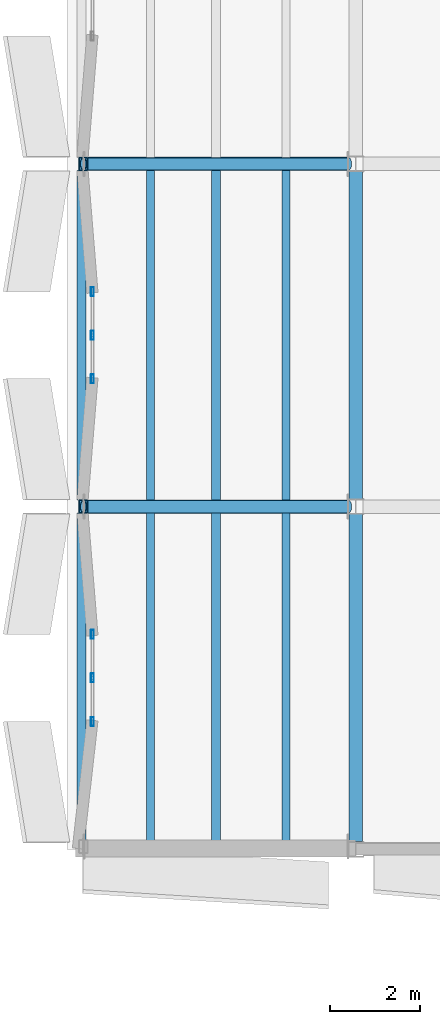
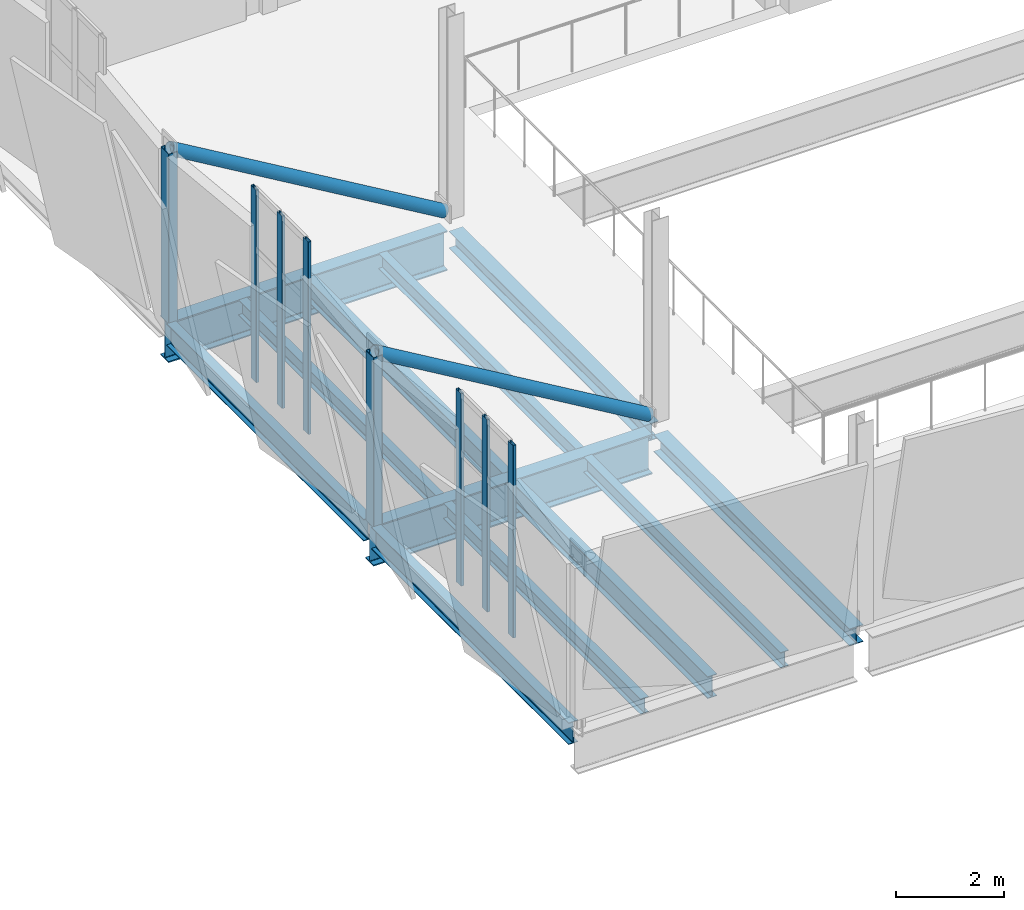
# One storey, part 23 of 136: 12 beams, 10 members, 2 elements without a shape of their own.
"""IFC4 building model written with IfcOpenShell, lengths in metres."""

from ifc_helpers import new_model, si_unit, direction, frame, origin, origin_2d, place, context, subcontext, project, spatial, hollow_rectangle, hollow_circle, i_section, extrude, material, material_profile, profile_set, type_object, element, aggregate, save


model = new_model("IFC4")

# Units and contexts
model_context = context("Model", 3, precision=1e-05, world=origin(), true_north=direction((0.0, 1.0)))
body_context = subcontext(model_context, "Body", "Model", "MODEL_VIEW")
ifc_project = project(units=[si_unit("LENGTHUNIT", "METRE"), si_unit("AREAUNIT", "SQUARE_METRE"), si_unit("VOLUMEUNIT", "CUBIC_METRE"), si_unit("PLANEANGLEUNIT", "RADIAN"), si_unit("MASSUNIT", "GRAM", prefix="KILO")], contexts=[model_context])

# Site, building, storey
site_placement = place(None, origin())
site = spatial("IfcSite", under=ifc_project, at=site_placement, CompositionType="ELEMENT")
building_placement = place(site_placement, origin())
building = spatial("IfcBuilding", under=site, at=building_placement, Name="Shengluoqiao Park Theatre", CompositionType="ELEMENT")
storey_placement = place(building_placement, frame((0.0, 0.0, 10.0)))
storey = spatial("IfcBuildingStorey", under=building, at=storey_placement, Name="L02", CompositionType="ELEMENT", Elevation=10.0)

# Curtain wall, members
ifc_material_1 = material(Name="Aluminium 6063-T6", Category="aluminium")
curtain_wall_type = type_object("IfcCurtainWallType", Name="ENV-CW-STUDIO", PredefinedType="NOTDEFINED", material=ifc_material_1)
curtain_wall_1_placement = place(storey_placement, origin())
curtain_wall_1 = element("IfcCurtainWall", 1, at=curtain_wall_1_placement, inside=storey, type_object=curtain_wall_type, Name="L02 Curtain Wall CW-L02-SLIT-0238", PredefinedType="NOTDEFINED")
ifc_material_profile_1 = material_profile(ifc_material_1, hollow_rectangle(XDim=0.06494140625, YDim=0.199951171875, WallThickness=0.0048828125, InnerFilletRadius=0.0048828125, OuterFilletRadius=0.010009765625, at=origin_2d()), Name="ALU MULLION 200x65x5")
ifc_profile_set_1 = profile_set([ifc_material_profile_1], Name="Aluminium 6063-T6")
member_type_1 = type_object("IfcMemberType", Name="ENV-MUL-200", PredefinedType="MULLION", material=ifc_profile_set_1)
member_1_placement = place(storey_placement, frame((0.56005859375, 33.232421875, 0.0), z_axis=(0.0, 0.0, 1.0), x_axis=(-1.0, 0.0, 0.0)))
member_1 = element("IfcMember", 2, at=member_1_placement, type_object=member_type_1, Name="CW-02 mullion 1", PredefinedType="MULLION", context=body_context, shape_type="SweptSolid", body=[
    extrude(hollow_rectangle(XDim=0.06494140625, YDim=0.199951171875, WallThickness=0.0048828125, InnerFilletRadius=0.0048828125, OuterFilletRadius=0.010009765625, at=origin_2d()), origin(), (0.0, 0.0, 1.0), 4.360107421875),
])
member_2_placement = place(storey_placement, frame((0.56005859375, 34.199951171875, 0.0), z_axis=(0.0, 0.0, 1.0), x_axis=(-1.0, 0.0, 0.0)))
member_2 = element("IfcMember", 3, at=member_2_placement, type_object=member_type_1, Name="CW-02 mullion 2", PredefinedType="MULLION", context=body_context, shape_type="SweptSolid", body=[
    extrude(hollow_rectangle(XDim=0.06494140625, YDim=0.199951171875, WallThickness=0.0048828125, InnerFilletRadius=0.0048828125, OuterFilletRadius=0.010009765625, at=origin_2d()), origin(), (0.0, 0.0, 1.0), 4.360107421875),
])
member_3_placement = place(storey_placement, frame((0.56005859375, 35.16748046875, 0.0), z_axis=(0.0, 0.0, 1.0), x_axis=(-1.0, 0.0, 0.0)))
member_3 = element("IfcMember", 4, at=member_3_placement, type_object=member_type_1, Name="CW-02 mullion 3", PredefinedType="MULLION", context=body_context, shape_type="SweptSolid", body=[
    extrude(hollow_rectangle(XDim=0.06494140625, YDim=0.199951171875, WallThickness=0.0048828125, InnerFilletRadius=0.0048828125, OuterFilletRadius=0.010009765625, at=origin_2d()), origin(), (0.0, 0.0, 1.0), 4.360107421875),
])
aggregate(curtain_wall_1, [member_1, member_2, member_3])

curtain_wall_2_placement = place(storey_placement, origin())
curtain_wall_2 = element("IfcCurtainWall", 5, at=curtain_wall_2_placement, inside=storey, type_object=curtain_wall_type, Name="L02 Curtain Wall CW-L02-SLIT-0239", PredefinedType="NOTDEFINED")
member_4_placement = place(storey_placement, frame((0.56005859375, 40.83251953125, 0.0), z_axis=(0.0, 0.0, 1.0), x_axis=(-1.0, 0.0, 0.0)))
member_4 = element("IfcMember", 6, at=member_4_placement, type_object=member_type_1, Name="CW-02 mullion 1", PredefinedType="MULLION", context=body_context, shape_type="SweptSolid", body=[
    extrude(hollow_rectangle(XDim=0.06494140625, YDim=0.199951171875, WallThickness=0.0048828125, InnerFilletRadius=0.0048828125, OuterFilletRadius=0.010009765625, at=origin_2d()), origin(), (0.0, 0.0, 1.0), 4.360107421875),
])
member_5_placement = place(storey_placement, frame((0.56005859375, 41.800048828125, 0.0), z_axis=(0.0, 0.0, 1.0), x_axis=(-1.0, 0.0, 0.0)))
member_5 = element("IfcMember", 7, at=member_5_placement, type_object=member_type_1, Name="CW-02 mullion 2", PredefinedType="MULLION", context=body_context, shape_type="SweptSolid", body=[
    extrude(hollow_rectangle(XDim=0.06494140625, YDim=0.199951171875, WallThickness=0.0048828125, InnerFilletRadius=0.0048828125, OuterFilletRadius=0.010009765625, at=origin_2d()), origin(), (0.0, 0.0, 1.0), 4.360107421875),
])
member_6_placement = place(storey_placement, frame((0.56005859375, 42.767578125, 0.0), z_axis=(0.0, 0.0, 1.0), x_axis=(-1.0, 0.0, 0.0)))
member_6 = element("IfcMember", 8, at=member_6_placement, type_object=member_type_1, Name="CW-02 mullion 3", PredefinedType="MULLION", context=body_context, shape_type="SweptSolid", body=[
    extrude(hollow_rectangle(XDim=0.06494140625, YDim=0.199951171875, WallThickness=0.0048828125, InnerFilletRadius=0.0048828125, OuterFilletRadius=0.010009765625, at=origin_2d()), origin(), (0.0, 0.0, 1.0), 4.360107421875),
])
aggregate(curtain_wall_2, [member_4, member_5, member_6])

# Beams
ifc_material_2 = material(Name="Steel Q355", Category="steel")
ifc_material_profile_2 = material_profile(ifc_material_2, i_section(OverallWidth=0.300048828125, OverallDepth=0.389892578125, WebThickness=0.010009765625, FlangeThickness=0.01611328125, FilletRadius=0.01806640625, at=origin_2d()), Name="HM 390x300x10x16")
ifc_profile_set_2 = profile_set([ifc_material_profile_2], Name="Steel Q355")
beam_type_1 = type_object("IfcBeamType", Name="STR-BM-G-HM390", PredefinedType="BEAM", material=ifc_profile_set_2)
for number, where, z_axis, x_axis, name in (
    (9, (6.39990234375, 30.569091796875, -0.43505859375), (0.0, 1.0, 0.0), (-1.0, 0.0, 0.0), "L02 Transverse Girder 00873"),
    (10, (6.39990234375, 38.1689453125, -0.43505859375), (0.0, 1.0, 0.0), (-1.0, 0.0, 0.0), "L02 Transverse Girder 00874"),
):
    element("IfcBeam", number, at=place(storey_placement, frame(where, z_axis=z_axis, x_axis=x_axis)), inside=storey, type_object=beam_type_1, Name=name, PredefinedType="BEAM", context=body_context, shape_type="SweptSolid", body=[
        extrude(i_section(OverallWidth=0.300048828125, OverallDepth=0.389892578125, WebThickness=0.010009765625, FlangeThickness=0.01611328125, FilletRadius=0.01806640625, at=origin_2d()), origin(), (0.0, 0.0, 1.0), 7.261962890625),
    ])
ifc_material_3 = material(Name="Steel Q390", Category="steel")
ifc_material_profile_3 = material_profile(ifc_material_3, i_section(OverallWidth=0.300048828125, OverallDepth=0.89990234375, WebThickness=0.01611328125, FlangeThickness=0.028076171875, FilletRadius=0.028076171875, at=origin_2d()), Name="HN 900x300x16x28")
ifc_profile_set_3 = profile_set([ifc_material_profile_3], Name="Steel Q390")
beam_type_2 = type_object("IfcBeamType", Name="STR-BM-G-HN900", PredefinedType="BEAM", material=ifc_profile_set_3)
for number, where, z_axis, x_axis, name in (
    (11, (0.260009765625, 38.0, -0.68994140625), (1.0, 0.0, 0.0), (0.0, 1.0, 0.0), "CT-V3-2 L02 Cantilever Overhang Chord"),
    (12, (0.260009765625, 45.60009765625, -0.68994140625), (1.0, 0.0, 0.0), (0.0, 1.0, 0.0), "CT-V3-3 L02 Cantilever Overhang Chord"),
):
    element("IfcBeam", number, at=place(storey_placement, frame(where, z_axis=z_axis, x_axis=x_axis)), inside=storey, type_object=beam_type_2, Name=name, PredefinedType="BEAM", context=body_context, shape_type="SweptSolid", body=[
        extrude(i_section(OverallWidth=0.300048828125, OverallDepth=0.89990234375, WebThickness=0.01611328125, FlangeThickness=0.028076171875, FilletRadius=0.028076171875, at=origin_2d()), origin(), (0.0, 0.0, 1.0), 5.97705078125),
    ])
ifc_material_profile_4 = material_profile(ifc_material_2, i_section(OverallWidth=0.175048828125, OverallDepth=0.35009765625, WebThickness=0.007080078125, FlangeThickness=0.010986328125, FilletRadius=0.013916015625, at=origin_2d()), Name="HN 350x175x7x11")
ifc_profile_set_4 = profile_set([ifc_material_profile_4], Name="Steel Q355")
beam_type_3 = type_object("IfcBeamType", Name="STR-BM-J-HN350", PredefinedType="JOIST", material=ifc_profile_set_4)
for number, where, z_axis, x_axis, name in (
    (13, (1.85009765625, 30.5439453125, -0.4150390625), (0.0, 1.0, 0.0), (-1.0, 0.0, 0.0), "V3 L02 Cantilever Joist 02-18"),
    (14, (1.85009765625, 38.14404296875, -0.4150390625), (0.0, 1.0, 0.0), (-1.0, 0.0, 0.0), "V3 L02 Cantilever Joist 00014"),
    (15, (4.85009765625, 30.5439453125, -0.4150390625), (0.0, 1.0, 0.0), (-1.0, 0.0, 0.0), "V3 L02 Cantilever Joist 00016"),
    (16, (4.85009765625, 38.14404296875, -0.4150390625), (0.0, 1.0, 0.0), (-1.0, 0.0, 0.0), "V3 L02 Cantilever Joist 00017"),
):
    element("IfcBeam", number, at=place(storey_placement, frame(where, z_axis=z_axis, x_axis=x_axis)), inside=storey, type_object=beam_type_3, Name=name, PredefinedType="JOIST", context=body_context, shape_type="SweptSolid", body=[
        extrude(i_section(OverallWidth=0.175048828125, OverallDepth=0.35009765625, WebThickness=0.007080078125, FlangeThickness=0.010986328125, FilletRadius=0.013916015625, at=origin_2d()), origin(), (0.0, 0.0, 1.0), 7.31201171875),
    ])
ifc_material_profile_5 = material_profile(ifc_material_2, i_section(OverallWidth=0.198974609375, OverallDepth=0.49609375, WebThickness=0.009033203125, FlangeThickness=0.013916015625, FilletRadius=0.01806640625, at=origin_2d()), Name="HN 496x199x9x14")
ifc_profile_set_5 = profile_set([ifc_material_profile_5], Name="Steel Q355")
beam_type_4 = type_object("IfcBeamType", Name="STR-BM-SP-HN496", PredefinedType="SPANDREL", material=ifc_profile_set_5)
for number, where, z_axis, x_axis, name in (
    (17, (0.320068359375, 30.5439453125, -0.488037109375), (0.0, 1.0, 0.0), (-1.0, 0.0, 0.0), "V3 L02 Cantilever Spandrel L02-3"),
    (18, (0.320068359375, 38.14404296875, -0.488037109375), (0.0, 1.0, 0.0), (-1.0, 0.0, 0.0), "V3 L02 Cantilever Spandrel 00010"),
    (19, (3.300048828125, 30.5439453125, -0.488037109375), (0.0, 1.0, 0.0), (-1.0, 0.0, 0.0), "V3 L02 Cantilever Spandrel 02-33"),
    (20, (3.300048828125, 38.14404296875, -0.488037109375), (0.0, 1.0, 0.0), (-1.0, 0.0, 0.0), "V3 L02 Cantilever Spandrel 00012"),
):
    element("IfcBeam", number, at=place(storey_placement, frame(where, z_axis=z_axis, x_axis=x_axis)), inside=storey, type_object=beam_type_4, Name=name, PredefinedType="SPANDREL", context=body_context, shape_type="SweptSolid", body=[
        extrude(i_section(OverallWidth=0.198974609375, OverallDepth=0.49609375, WebThickness=0.009033203125, FlangeThickness=0.013916015625, FilletRadius=0.01806640625, at=origin_2d()), origin(), (0.0, 0.0, 1.0), 7.31201171875),
    ])

# Members
ifc_material_profile_6 = material_profile(ifc_material_2, hollow_circle(Radius=0.136474609375, WallThickness=0.011962890625, at=origin_2d()), Name="CHS 273x12")
ifc_profile_set_6 = profile_set([ifc_material_profile_6], Name="Steel Q355")
member_type_2 = type_object("IfcMemberType", Name="STR-MEM-BRC-273", PredefinedType="BRACE", material=ifc_profile_set_6)
for number, where, z_axis, x_axis, name in (
    (21, (6.240966796875, 38.0, 0.1201171875), (-0.860610557284, 0.0, 0.509263653417), (0.0, -1.0, 0.0), "CT-V3-2 L02 Cantilever Raking Strut"),
    (22, (6.240966796875, 45.60009765625, 0.1201171875), (-0.860610557284, 0.0, 0.509263653417), (0.0, -1.0, 0.0), "CT-V3-3 L02 Cantilever Raking Strut"),
):
    element("IfcMember", number, at=place(storey_placement, frame(where, z_axis=z_axis, x_axis=x_axis)), inside=storey, type_object=member_type_2, Name=name, PredefinedType="BRACE", context=body_context, shape_type="SweptSolid", body=[
        extrude(hollow_circle(Radius=0.136474609375, WallThickness=0.011962890625, at=origin_2d()), origin(), (0.0, 0.0, 1.0), 6.833251953125),
    ])
ifc_material_profile_7 = material_profile(ifc_material_3, hollow_rectangle(XDim=0.199951171875, YDim=0.300048828125, WallThickness=0.011962890625, InnerFilletRadius=0.011962890625, OuterFilletRadius=0.02392578125, at=origin_2d()), Name="RHS 300x200x12")
ifc_profile_set_7 = profile_set([ifc_material_profile_7], Name="Steel Q390")
member_type_3 = type_object("IfcMemberType", Name="STR-MEM-PTR-302", PredefinedType="POST", material=ifc_profile_set_7)
for number, where, z_axis, x_axis, name in (
    (23, (0.360107421875, 38.0, -0.260009765625), (0.0, 0.0, 1.0), (1.0, 0.0, 0.0), "CT-V3-2 L02 Cantilever Tip Post"),
    (24, (0.360107421875, 45.60009765625, -0.260009765625), (0.0, 0.0, 1.0), (1.0, 0.0, 0.0), "CT-V3-3 L02 Cantilever Tip Post"),
):
    element("IfcMember", number, at=place(storey_placement, frame(where, z_axis=z_axis, x_axis=x_axis)), inside=storey, type_object=member_type_3, Name=name, PredefinedType="POST", context=body_context, shape_type="SweptSolid", body=[
        extrude(hollow_rectangle(XDim=0.199951171875, YDim=0.300048828125, WallThickness=0.011962890625, InnerFilletRadius=0.011962890625, OuterFilletRadius=0.02392578125, at=origin_2d()), origin(), (0.0, 0.0, 1.0), 3.840087890625),
    ])

save(model, "model.ifc")
